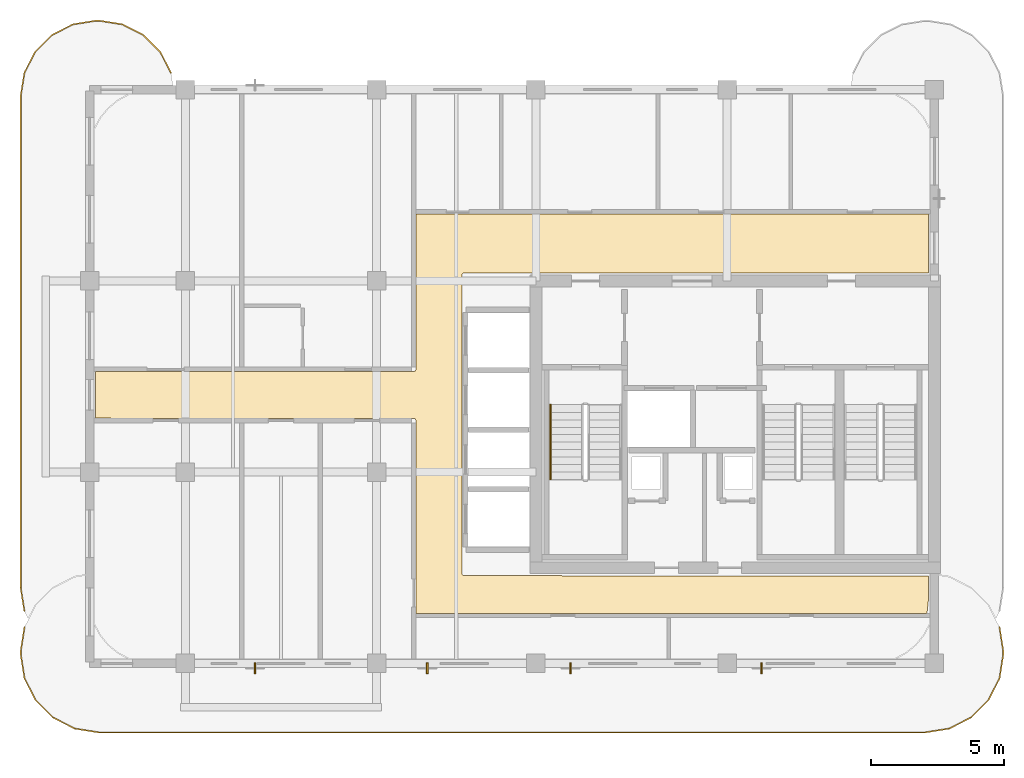
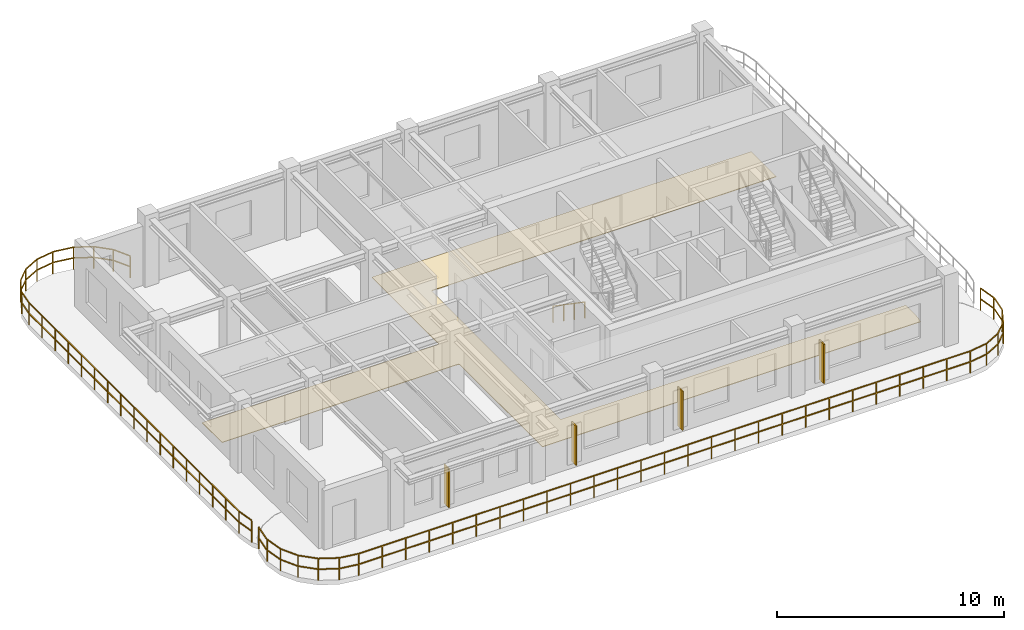
# One storey, part 6 of 8: 4 shading devices, 3 railings, 1 covering.
"""IFC4 building model written with IfcOpenShell, lengths in metres."""

import ifcopenshell
import ifcopenshell.guid

model = None  # the IFC model being written
_history = None  # IfcOwnerHistory: only IFC2X3 demands one
_inside = {}  # id of a spatial element -> (the spatial element, [elements in it])
_under = {}  # id of a project, library or spatial element -> (it, [spatial elements below it])
_declared = {}  # id of a project -> (the project, [libraries it declares])
_typed = {}  # id of a type object -> (the type object, [elements of that type])
_made_of = {}  # id of a material, layer set ... -> (it, [elements and type objects made of it])


def new_model(schema):
    """Start an empty IFC model of exactly this schema.

    Asked for "IFC4X3", IfcOpenShell would pick the latest addendum, in which some entities
    have other attributes; the version numbers below select the first issue.
    IFC2X3 requires an IfcOwnerHistory on every rooted entity: one is made here for all.
    """
    global model, _history
    if schema == "IFC4X3":
        model = ifcopenshell.file(schema_version=(4, 3, 0, 0))
    else:
        model = ifcopenshell.file(schema=schema)
    _inside.clear()
    _under.clear()
    _declared.clear()
    _typed.clear()
    _made_of.clear()
    _history = None
    if model.schema == "IFC2X3":
        org = make("IfcOrganization", Name="unknown")
        user = make(
            "IfcPersonAndOrganization",
            ThePerson=make("IfcPerson", FamilyName="unknown"),
            TheOrganization=org,
        )
        app = make(
            "IfcApplication",
            ApplicationDeveloper=org,
            Version="unknown",
            ApplicationFullName="unknown",
            ApplicationIdentifier="unknown",
        )
        _history = make(
            "IfcOwnerHistory",
            OwningUser=user,
            OwningApplication=app,
            ChangeAction="ADDED",
            CreationDate=0,
        )
    return model


def make(cls, **values):
    """One entity of the class cls with the attributes given. An attribute that is None is left unset."""
    return model.create_entity(
        cls, **{name: value for name, value in values.items() if value is not None}
    )


def rooted(cls, **values):
    """An entity with a GlobalId (a new one), such as an element, a storey or a relation."""
    return make(cls, GlobalId=ifcopenshell.guid.new(), OwnerHistory=_history, **values)


def si_unit(unit_type, name, prefix=None):
    """IfcSIUnit, for example si_unit("LENGTHUNIT", "METRE", prefix="MILLI")."""
    return make("IfcSIUnit", UnitType=unit_type, Prefix=prefix, Name=name)


def derived_unit(unit_type, elements):
    """IfcDerivedUnit: a product of units, each with its exponent."""
    return make(
        "IfcDerivedUnit",
        Elements=[
            make("IfcDerivedUnitElement", Unit=unit, Exponent=power)
            for unit, power in elements
        ],
        UnitType=unit_type,
    )


def assignment(units):
    """IfcUnitAssignment: the units of a project."""
    return None if units is None else make("IfcUnitAssignment", Units=units)


def point(xyz):
    """IfcCartesianPoint."""
    return None if xyz is None else make("IfcCartesianPoint", Coordinates=xyz)


def direction(xyz):
    """IfcDirection."""
    return None if xyz is None else make("IfcDirection", DirectionRatios=xyz)


def frame(location, z_axis=None, x_axis=None):
    """IfcAxis2Placement3D, a coordinate frame: its origin and axes. An axis left out is left unset."""
    return make(
        "IfcAxis2Placement3D",
        Location=point(location),
        Axis=direction(z_axis),
        RefDirection=direction(x_axis),
    )


def frame_2d(location, x_axis=None):
    """IfcAxis2Placement2D, a coordinate frame in the plane: its origin and x axis."""
    return make(
        "IfcAxis2Placement2D", Location=point(location), RefDirection=direction(x_axis)
    )


def origin():
    """The frame at (0, 0, 0) with its axes left unset."""
    return frame((0.0, 0.0, 0.0))


def origin_2d():
    """The frame at (0, 0) in the plane with its x axis left unset."""
    return frame_2d((0.0, 0.0))


def place(relative_to, where):
    """IfcLocalPlacement: puts the frame where relative to a parent placement (None: the world)."""
    return make(
        "IfcLocalPlacement", PlacementRelTo=relative_to, RelativePlacement=where
    )


def context(
    kind, dimensions, precision=None, world=None, true_north=None, identifier=None
):
    """IfcGeometricRepresentationContext, for example the 3D "Model" context."""
    return make(
        "IfcGeometricRepresentationContext",
        ContextIdentifier=identifier,
        ContextType=kind,
        CoordinateSpaceDimension=dimensions,
        Precision=precision,
        WorldCoordinateSystem=world,
        TrueNorth=true_north,
    )


def subcontext(parent, identifier, kind, view, scale=None):
    """IfcGeometricRepresentationSubContext, for example "Body" below "Model"."""
    return make(
        "IfcGeometricRepresentationSubContext",
        ContextIdentifier=identifier,
        ContextType=kind,
        ParentContext=parent,
        TargetScale=scale,
        TargetView=view,
    )


def project(units=None, contexts=None):
    """IfcProject with its units and contexts."""
    return rooted(
        "IfcProject",
        Name="project",
        RepresentationContexts=contexts,
        UnitsInContext=assignment(units),
    )


def spatial(cls, under=None, at=None, **own):
    """A site, building, storey or space (cls), placed at a placement, below another one or the project."""
    s = rooted(cls, ObjectPlacement=at, **own)
    if under is not None:
        _under.setdefault(under.id(), (under, []))[1].append(s)
    return s


def polyline(points):
    """IfcPolyline through the points."""
    return make("IfcPolyline", Points=[point(p) for p in points])


def profile(cls, at=None, kind="AREA", **sizes):
    """A parametric profile (cls). Its sizes go by their IFC names, for example OverallWidth=200.0."""
    return make(cls, ProfileType=kind, Position=at, **sizes)


def rectangle(**sizes):
    """IfcRectangleProfileDef."""
    return profile("IfcRectangleProfileDef", **sizes)


def outline(outer, holes=None, kind="AREA"):
    """IfcArbitraryClosedProfileDef: a profile drawn as a closed curve; with holes, ...WithVoids."""
    if holes is None:
        return make("IfcArbitraryClosedProfileDef", ProfileType=kind, OuterCurve=outer)
    return make(
        "IfcArbitraryProfileDefWithVoids",
        ProfileType=kind,
        OuterCurve=outer,
        InnerCurves=holes,
    )


def extrude(swept, where, along, depth):
    """IfcExtrudedAreaSolid: the profile swept, set in the frame where, extruded along a direction by depth."""
    return make(
        "IfcExtrudedAreaSolid",
        SweptArea=swept,
        Position=where,
        ExtrudedDirection=direction(along),
        Depth=depth,
    )


def shape(context_of_items, identifier, shape_type, items):
    """IfcShapeRepresentation: the items that make up one representation, for example the "Body"."""
    return make(
        "IfcShapeRepresentation",
        ContextOfItems=context_of_items,
        RepresentationIdentifier=identifier,
        RepresentationType=shape_type,
        Items=items,
    )


def source(mapping_origin, context_of_items, identifier, shape_type, items):
    """IfcRepresentationMap: a shape defined once, which mapped items show again and again."""
    return make(
        "IfcRepresentationMap",
        MappingOrigin=mapping_origin,
        MappedRepresentation=shape(context_of_items, identifier, shape_type, items),
    )


def transform(
    local_origin,
    x_axis=None,
    y_axis=None,
    z_axis=None,
    scale=None,
    scale2=None,
    scale3=None,
    uniform=True,
):
    """IfcCartesianTransformationOperator3D, or its non-uniform kind. x_axis, y_axis, z_axis: its Axis1, 2, 3."""
    if uniform:
        return make(
            "IfcCartesianTransformationOperator3D",
            Axis1=direction(x_axis),
            Axis2=direction(y_axis),
            LocalOrigin=point(local_origin),
            Scale=scale,
            Axis3=direction(z_axis),
        )
    return make(
        "IfcCartesianTransformationOperator3DnonUniform",
        Axis1=direction(x_axis),
        Axis2=direction(y_axis),
        LocalOrigin=point(local_origin),
        Scale=scale,
        Axis3=direction(z_axis),
        Scale2=scale2,
        Scale3=scale3,
    )


def mapped(mapping_source, mapping_target):
    """IfcMappedItem: shows the shape of a source again, moved by a transform."""
    return make(
        "IfcMappedItem", MappingSource=mapping_source, MappingTarget=mapping_target
    )


def material(Name=None, Category=None):
    """IfcMaterial."""
    return make("IfcMaterial", Name=Name, Category=Category)


def layer(
    of_material, thickness, ventilated=None, Name=None, Category=None, Priority=None
):
    """IfcMaterialLayer: one layer of a wall or slab, of a material (None: an air gap)."""
    return make(
        "IfcMaterialLayer",
        Material=of_material,
        LayerThickness=thickness,
        IsVentilated=ventilated,
        Name=Name,
        Category=Category,
        Priority=Priority,
    )


def layer_set(layers, Name=None):
    """IfcMaterialLayerSet."""
    return make("IfcMaterialLayerSet", MaterialLayers=layers, LayerSetName=Name)


def made_of(thing, what):
    """Note that an element or type object is made of a material, layer set ...; save() writes the relation."""
    if what is not None:
        _made_of.setdefault(what.id(), (what, []))[1].append(thing)
    return thing


def type_object(cls, material=None, **own):
    """A type object (cls), such as IfcWallType, which elements share."""
    return made_of(rooted(cls, **own), material)


def type_shapes(of_type, sources):
    """Give a type object the sources (RepresentationMaps) that its elements show as mapped items."""
    of_type.RepresentationMaps = sources


def element(
    cls,
    number,
    at=None,
    inside=None,
    cuts=None,
    type_object=None,
    material=None,
    context=None,
    identifier="Body",
    shape_type=None,
    held_by="IfcProductDefinitionShape",
    body=None,
    shapes=None,
    **own,
):
    """One element of the class cls, such as IfcWall. Its Tag is "e" and its number.

    at: its placement. inside: the storey or other place that contains it. cuts: it is an
    opening in that element (IfcRelVoidsElement). A single representation is given by context,
    identifier, shape_type and body (its items); several are given by shapes. held_by: the class
    of the entity that holds the representations. save() writes the other relations.
    """
    e = rooted(cls, Tag="e%d" % number, ObjectPlacement=at, **own)
    if body is not None:
        shapes = [shape(context, identifier, shape_type, body)]
    if shapes is not None:
        e.Representation = make(held_by, Representations=shapes)
    if inside is not None:
        _inside.setdefault(inside.id(), (inside, []))[1].append(e)
    if cuts is not None:
        rooted(
            "IfcRelVoidsElement", RelatingBuildingElement=cuts, RelatedOpeningElement=e
        )
    if type_object is not None:
        _typed.setdefault(type_object.id(), (type_object, []))[1].append(e)
    return made_of(e, material)


def aggregate(whole, parts):
    """IfcRelAggregates: a whole, such as a stair, and the parts it consists of."""
    return rooted("IfcRelAggregates", RelatingObject=whole, RelatedObjects=parts)


def save(model, path):
    """Write the relations noted so far, then the file.

    IfcRelAggregates (storeys below a building ...), IfcRelContainedInSpatialStructure (elements
    in a storey), IfcRelDefinesByType, IfcRelAssociatesMaterial and IfcRelDeclares: one each for
    every whole, place, type object, material and project.
    """
    for whole, parts in _under.values():
        aggregate(whole, parts)
    for where, things in _inside.values():
        rooted(
            "IfcRelContainedInSpatialStructure",
            RelatedElements=things,
            RelatingStructure=where,
        )
    for kind, things in _typed.values():
        rooted("IfcRelDefinesByType", RelatedObjects=things, RelatingType=kind)
    for what, things in _made_of.values():
        rooted("IfcRelAssociatesMaterial", RelatedObjects=things, RelatingMaterial=what)
    for by, libraries in _declared.values():
        rooted("IfcRelDeclares", RelatingContext=by, RelatedDefinitions=libraries)
    model.write(path)


model = new_model("IFC4")

# Units and contexts
model_context = context("Model", 3, precision=1e-05, world=origin(), true_north=direction((0.0, 1.0)))
body_context = subcontext(model_context, "Body", "Model", "MODEL_VIEW")
ifc_project = project(units=[si_unit("LENGTHUNIT", "METRE"), si_unit("AREAUNIT", "SQUARE_METRE"), si_unit("VOLUMEUNIT", "CUBIC_METRE"), si_unit("PLANEANGLEUNIT", "RADIAN"), si_unit("MASSUNIT", "GRAM", prefix="KILO"), si_unit("THERMODYNAMICTEMPERATUREUNIT", "KELVIN"), si_unit("POWERUNIT", "WATT"), derived_unit("THERMALTRANSMITTANCEUNIT", [(si_unit("POWERUNIT", "WATT"), 1), (si_unit("AREAUNIT", "SQUARE_METRE"), -1), (si_unit("THERMODYNAMICTEMPERATUREUNIT", "KELVIN"), -1)])], contexts=[model_context])

# Site, building, storey
site_placement = place(None, origin())
site = spatial("IfcSite", under=ifc_project, at=site_placement, CompositionType="ELEMENT")
building_placement = place(site_placement, origin())
building = spatial("IfcBuilding", under=site, at=building_placement, Name="Zahravan Archway Hotel and Residences", CompositionType="ELEMENT")
storey_placement = place(building_placement, frame((0.0, 0.0, 286.60009765625)))
storey = spatial("IfcBuildingStorey", under=building, at=storey_placement, Name="L72", CompositionType="ELEMENT", Elevation=286.60009765625)

# Covering
ifc_material_1 = material(Name="Honed Margalla Limestone & Mortar Bed", Category="masonry")
ifc_layer_1 = layer(ifc_material_1, 0.030029296875, Name="Honed Margalla Limestone & Mortar Bed", Category="masonry")
ifc_layer_set_1 = layer_set([ifc_layer_1], Name="Honed Margalla Limestone & Mortar Bed")
covering_type = type_object("IfcCoveringType", Name="COV-FLR-STONE", PredefinedType="FLOORING", material=ifc_layer_set_1)
covering_placement = place(storey_placement, origin())
element("IfcCovering", 1, at=covering_placement, inside=storey, type_object=covering_type, Name="L72 Circulation Floor Finish", PredefinedType="FLOORING", context=body_context, shape_type="SweptSolid", body=[
    extrude(outline(polyline([(30.215576171875, 10.991455078125), (30.256591796875, 11.013427734375), (30.278564453125, 11.054443359375), (30.280029296875, 16.919921875), (49.580078125, 16.919921875), (49.580078125, 14.705078125), (32.10009765625, 14.705078125), (32.0556640625, 14.69140625), (32.026123046875, 14.655517578125), (32.02001953125, 3.375), (32.033447265625, 3.33056640625), (32.0693359375, 3.301025390625), (49.580078125, 3.294921875), (49.580078125, 2.410888671875), (49.537109375, 1.974853515625), (49.50830078125, 1.8798828125), (30.280029296875, 1.8798828125), (30.280029296875, 9.14990234375), (30.2666015625, 9.1943359375), (30.230712890625, 9.223876953125), (18.219970703125, 9.22998046875), (18.219970703125, 10.989990234375), (30.199951171875, 10.989990234375), (30.215576171875, 10.991455078125)])), origin(), (0.0, 0.0, 1.0), 0.02978515625),
])

# Railings
ifc_material_2 = material(Name="Bronze & Laminated Glass Balustrade", Category="glass")
railing_type_1 = type_object("IfcRailingType", Name="RL-BAL-1200", PredefinedType="BALUSTRADE", material=ifc_material_2)
railing_1_placement = place(storey_placement, frame((52.255615234375, 1.361572265625, 0.0)))
element("IfcRailing", 2, at=railing_1_placement, inside=storey, type_object=railing_type_1, Name="L72 Balustrade RL-SLB-BAL-L72-SA-1", PredefinedType="BALUSTRADE", context=body_context, shape_type="SweptSolid", body=[
    extrude(rectangle(XDim=0.048095703125, YDim=0.048095703125, at=origin_2d()), frame((0.0, 0.0, 1.17578125), z_axis=(0.156329311416, -0.987704989555, 0.0), x_axis=(0.987704989555, 0.156329311416, 0.0)), (0.0, 0.0, 1.0), 0.9228515625),
    extrude(rectangle(XDim=0.048095703125, YDim=0.048095703125, at=origin_2d()), frame((0.0, 0.0, 0.60009765625), z_axis=(0.156329311416, -0.987704989555, 0.0), x_axis=(0.987704989555, 0.156329311416, 0.0)), (0.0, 0.0, 1.0), 0.9228515625),
    extrude(rectangle(XDim=0.048095703125, YDim=0.048095703125, at=origin_2d()), frame((0.144287109375, -0.91162109375, 1.17578125), z_axis=(0.0, -1.0, 0.0), x_axis=(1.0, 0.0, 0.0)), (0.0, 0.0, 1.0), 0.099853515625),
    extrude(rectangle(XDim=0.048095703125, YDim=0.048095703125, at=origin_2d()), frame((0.144287109375, -0.91162109375, 0.60009765625), z_axis=(0.0, -1.0, 0.0), x_axis=(1.0, 0.0, 0.0)), (0.0, 0.0, 1.0), 0.099853515625),
    extrude(rectangle(XDim=0.048095703125, YDim=0.048095703125, at=origin_2d()), frame((0.144287109375, -1.011474609375, 1.17578125), z_axis=(-0.156329311416, -0.987704989555, 0.0), x_axis=(0.987704989555, -0.156329311416, 0.0)), (0.0, 0.0, 1.0), 0.9228515625),
    extrude(rectangle(XDim=0.048095703125, YDim=0.048095703125, at=origin_2d()), frame((0.144287109375, -1.011474609375, 0.60009765625), z_axis=(-0.156329311416, -0.987704989555, 0.0), x_axis=(0.987704989555, -0.156329311416, 0.0)), (0.0, 0.0, 1.0), 0.9228515625),
    extrude(rectangle(XDim=0.048095703125, YDim=0.048095703125, at=origin_2d()), frame((0.0, -1.923095703125, 1.17578125), z_axis=(-0.453866348456, -0.891069771532, 0.0), x_axis=(0.891069771532, -0.453866348456, 0.0)), (0.0, 0.0, 1.0), 0.923095703125),
    extrude(rectangle(XDim=0.048095703125, YDim=0.048095703125, at=origin_2d()), frame((0.0, -1.923095703125, 0.60009765625), z_axis=(-0.453866348456, -0.891069771532, 0.0), x_axis=(0.891069771532, -0.453866348456, 0.0)), (0.0, 0.0, 1.0), 0.923095703125),
    extrude(rectangle(XDim=0.048095703125, YDim=0.048095703125, at=origin_2d()), frame((-0.4189453125, -2.74560546875, 1.17578125), z_axis=(-0.707106781187, -0.707106781187, 0.0), x_axis=(0.707106781187, -0.707106781187, 0.0)), (0.0, 0.0, 1.0), 0.9228515625),
    extrude(rectangle(XDim=0.048095703125, YDim=0.048095703125, at=origin_2d()), frame((-0.4189453125, -2.74560546875, 0.60009765625), z_axis=(-0.707106781187, -0.707106781187, 0.0), x_axis=(0.707106781187, -0.707106781187, 0.0)), (0.0, 0.0, 1.0), 0.9228515625),
    extrude(rectangle(XDim=0.048095703125, YDim=0.048095703125, at=origin_2d()), frame((-1.071533203125, -3.398193359375, 1.17578125), z_axis=(-0.891069771532, -0.453866348456, 0.0), x_axis=(0.453866348456, -0.891069771532, 0.0)), (0.0, 0.0, 1.0), 0.923095703125),
    extrude(rectangle(XDim=0.048095703125, YDim=0.048095703125, at=origin_2d()), frame((-1.071533203125, -3.398193359375, 0.60009765625), z_axis=(-0.891069771532, -0.453866348456, 0.0), x_axis=(0.453866348456, -0.891069771532, 0.0)), (0.0, 0.0, 1.0), 0.923095703125),
    extrude(rectangle(XDim=0.048095703125, YDim=0.048095703125, at=origin_2d()), frame((-1.89404296875, -3.817138671875, 1.17578125), z_axis=(-0.98766411426, -0.156587347521, 0.0), x_axis=(0.156587347521, -0.98766411426, 0.0)), (0.0, 0.0, 1.0), 0.923095703125),
    extrude(rectangle(XDim=0.048095703125, YDim=0.048095703125, at=origin_2d()), frame((-1.89404296875, -3.817138671875, 0.60009765625), z_axis=(-0.98766411426, -0.156587347521, 0.0), x_axis=(0.156587347521, -0.98766411426, 0.0)), (0.0, 0.0, 1.0), 0.923095703125),
    extrude(rectangle(XDim=0.048095703125, YDim=0.048095703125, at=origin_2d()), frame((-2.8056640625, -3.961669921875, 1.17578125), z_axis=(-1.0, 0.0, 0.0), x_axis=(0.0, -1.0, 0.0)), (0.0, 0.0, 1.0), 31.099853515625),
    extrude(rectangle(XDim=0.048095703125, YDim=0.048095703125, at=origin_2d()), frame((-2.8056640625, -3.961669921875, 0.60009765625), z_axis=(-1.0, 0.0, 0.0), x_axis=(0.0, -1.0, 0.0)), (0.0, 0.0, 1.0), 31.099853515625),
    extrude(rectangle(XDim=0.048095703125, YDim=0.048095703125, at=origin_2d()), frame((-33.905517578125, -3.961669921875, 1.17578125), z_axis=(-0.98766411426, 0.156587347521, 0.0), x_axis=(-0.156587347521, -0.98766411426, 0.0)), (0.0, 0.0, 1.0), 0.923095703125),
    extrude(rectangle(XDim=0.048095703125, YDim=0.048095703125, at=origin_2d()), frame((-33.905517578125, -3.961669921875, 0.60009765625), z_axis=(-0.98766411426, 0.156587347521, 0.0), x_axis=(-0.156587347521, -0.98766411426, 0.0)), (0.0, 0.0, 1.0), 0.923095703125),
    extrude(rectangle(XDim=0.048095703125, YDim=0.048095703125, at=origin_2d()), frame((-34.817138671875, -3.817138671875, 1.17578125), z_axis=(-0.891069771532, 0.453866348456, 0.0), x_axis=(-0.453866348456, -0.891069771532, 0.0)), (0.0, 0.0, 1.0), 0.923095703125),
    extrude(rectangle(XDim=0.048095703125, YDim=0.048095703125, at=origin_2d()), frame((-34.817138671875, -3.817138671875, 0.60009765625), z_axis=(-0.891069771532, 0.453866348456, 0.0), x_axis=(-0.453866348456, -0.891069771532, 0.0)), (0.0, 0.0, 1.0), 0.923095703125),
    extrude(rectangle(XDim=0.048095703125, YDim=0.048095703125, at=origin_2d()), frame((-35.6396484375, -3.398193359375, 1.17578125), z_axis=(-0.707106781187, 0.707106781187, 0.0), x_axis=(-0.707106781187, -0.707106781187, 0.0)), (0.0, 0.0, 1.0), 0.9228515625),
    extrude(rectangle(XDim=0.048095703125, YDim=0.048095703125, at=origin_2d()), frame((-35.6396484375, -3.398193359375, 0.60009765625), z_axis=(-0.707106781187, 0.707106781187, 0.0), x_axis=(-0.707106781187, -0.707106781187, 0.0)), (0.0, 0.0, 1.0), 0.9228515625),
    extrude(rectangle(XDim=0.048095703125, YDim=0.048095703125, at=origin_2d()), frame((-36.292236328125, -2.74560546875, 1.17578125), z_axis=(-0.453866348456, 0.891069771532, 0.0), x_axis=(-0.891069771532, -0.453866348456, 0.0)), (0.0, 0.0, 1.0), 0.923095703125),
    extrude(rectangle(XDim=0.048095703125, YDim=0.048095703125, at=origin_2d()), frame((-36.292236328125, -2.74560546875, 0.60009765625), z_axis=(-0.453866348456, 0.891069771532, 0.0), x_axis=(-0.891069771532, -0.453866348456, 0.0)), (0.0, 0.0, 1.0), 0.923095703125),
    extrude(rectangle(XDim=0.048095703125, YDim=0.048095703125, at=origin_2d()), frame((-36.711181640625, -1.923095703125, 1.17578125), z_axis=(-0.156587347521, 0.98766411426, 0.0), x_axis=(-0.98766411426, -0.156587347521, 0.0)), (0.0, 0.0, 1.0), 0.923095703125),
    extrude(rectangle(XDim=0.048095703125, YDim=0.048095703125, at=origin_2d()), frame((-36.711181640625, -1.923095703125, 0.60009765625), z_axis=(-0.156587347521, 0.98766411426, 0.0), x_axis=(-0.98766411426, -0.156587347521, 0.0)), (0.0, 0.0, 1.0), 0.923095703125),
    extrude(rectangle(XDim=0.048095703125, YDim=0.048095703125, at=origin_2d()), frame((-36.855712890625, -1.011474609375, 1.17578125), z_axis=(0.0, 1.0, 0.0), x_axis=(-1.0, 0.0, 0.0)), (0.0, 0.0, 1.0), 0.099853515625),
    extrude(rectangle(XDim=0.048095703125, YDim=0.048095703125, at=origin_2d()), frame((-36.855712890625, -1.011474609375, 0.60009765625), z_axis=(0.0, 1.0, 0.0), x_axis=(-1.0, 0.0, 0.0)), (0.0, 0.0, 1.0), 0.099853515625),
    extrude(rectangle(XDim=0.048095703125, YDim=0.048095703125, at=origin_2d()), frame((-36.855712890625, -0.91162109375, 1.17578125), z_axis=(0.156587347521, 0.98766411426, 0.0), x_axis=(-0.98766411426, 0.156587347521, 0.0)), (0.0, 0.0, 1.0), 0.923095703125),
    extrude(rectangle(XDim=0.048095703125, YDim=0.048095703125, at=origin_2d()), frame((-36.855712890625, -0.91162109375, 0.60009765625), z_axis=(0.156587347521, 0.98766411426, 0.0), x_axis=(-0.98766411426, 0.156587347521, 0.0)), (0.0, 0.0, 1.0), 0.923095703125),
    extrude(rectangle(XDim=0.0419921875, YDim=0.0419921875, at=origin_2d()), origin(), (0.0, 0.0, 1.0), 1.15185546875),
    extrude(rectangle(XDim=0.0419921875, YDim=0.0419921875, at=origin_2d()), frame((0.144287109375, -0.91162109375, 0.0)), (0.0, 0.0, 1.0), 1.15185546875),
    extrude(rectangle(XDim=0.0419921875, YDim=0.0419921875, at=origin_2d()), frame((0.0, -1.923095703125, 0.0)), (0.0, 0.0, 1.0), 1.15185546875),
    extrude(rectangle(XDim=0.0419921875, YDim=0.0419921875, at=origin_2d()), frame((-0.4189453125, -2.74560546875, 0.0)), (0.0, 0.0, 1.0), 1.15185546875),
    extrude(rectangle(XDim=0.0419921875, YDim=0.0419921875, at=origin_2d()), frame((-1.071533203125, -3.398193359375, 0.0)), (0.0, 0.0, 1.0), 1.15185546875),
    extrude(rectangle(XDim=0.0419921875, YDim=0.0419921875, at=origin_2d()), frame((-1.89404296875, -3.817138671875, 0.0)), (0.0, 0.0, 1.0), 1.15185546875),
    extrude(rectangle(XDim=0.0419921875, YDim=0.0419921875, at=origin_2d()), frame((-2.8056640625, -3.961669921875, 0.0)), (0.0, 0.0, 1.0), 1.15185546875),
    extrude(rectangle(XDim=0.0419921875, YDim=0.0419921875, at=origin_2d()), frame((-4.001708984375, -3.961669921875, 0.0)), (0.0, 0.0, 1.0), 1.15185546875),
    extrude(rectangle(XDim=0.0419921875, YDim=0.0419921875, at=origin_2d()), frame((-5.197998046875, -3.961669921875, 0.0)), (0.0, 0.0, 1.0), 1.15185546875),
    extrude(rectangle(XDim=0.0419921875, YDim=0.0419921875, at=origin_2d()), frame((-6.39404296875, -3.961669921875, 0.0)), (0.0, 0.0, 1.0), 1.15185546875),
    extrude(rectangle(XDim=0.0419921875, YDim=0.0419921875, at=origin_2d()), frame((-7.59033203125, -3.961669921875, 0.0)), (0.0, 0.0, 1.0), 1.15185546875),
    extrude(rectangle(XDim=0.0419921875, YDim=0.0419921875, at=origin_2d()), frame((-8.786376953125, -3.961669921875, 0.0)), (0.0, 0.0, 1.0), 1.15185546875),
    extrude(rectangle(XDim=0.0419921875, YDim=0.0419921875, at=origin_2d()), frame((-9.982666015625, -3.961669921875, 0.0)), (0.0, 0.0, 1.0), 1.15185546875),
    extrude(rectangle(XDim=0.0419921875, YDim=0.0419921875, at=origin_2d()), frame((-11.1787109375, -3.961669921875, 0.0)), (0.0, 0.0, 1.0), 1.15185546875),
    extrude(rectangle(XDim=0.0419921875, YDim=0.0419921875, at=origin_2d()), frame((-12.374755859375, -3.961669921875, 0.0)), (0.0, 0.0, 1.0), 1.15185546875),
    extrude(rectangle(XDim=0.0419921875, YDim=0.0419921875, at=origin_2d()), frame((-13.571044921875, -3.961669921875, 0.0)), (0.0, 0.0, 1.0), 1.15185546875),
    extrude(rectangle(XDim=0.0419921875, YDim=0.0419921875, at=origin_2d()), frame((-14.76708984375, -3.961669921875, 0.0)), (0.0, 0.0, 1.0), 1.15185546875),
    extrude(rectangle(XDim=0.0419921875, YDim=0.0419921875, at=origin_2d()), frame((-15.96337890625, -3.961669921875, 0.0)), (0.0, 0.0, 1.0), 1.15185546875),
    extrude(rectangle(XDim=0.0419921875, YDim=0.0419921875, at=origin_2d()), frame((-17.159423828125, -3.961669921875, 0.0)), (0.0, 0.0, 1.0), 1.15185546875),
    extrude(rectangle(XDim=0.0419921875, YDim=0.0419921875, at=origin_2d()), frame((-18.35546875, -3.961669921875, 0.0)), (0.0, 0.0, 1.0), 1.15185546875),
    extrude(rectangle(XDim=0.0419921875, YDim=0.0419921875, at=origin_2d()), frame((-19.5517578125, -3.961669921875, 0.0)), (0.0, 0.0, 1.0), 1.15185546875),
    extrude(rectangle(XDim=0.0419921875, YDim=0.0419921875, at=origin_2d()), frame((-20.747802734375, -3.961669921875, 0.0)), (0.0, 0.0, 1.0), 1.15185546875),
    extrude(rectangle(XDim=0.0419921875, YDim=0.0419921875, at=origin_2d()), frame((-21.944091796875, -3.961669921875, 0.0)), (0.0, 0.0, 1.0), 1.15185546875),
    extrude(rectangle(XDim=0.0419921875, YDim=0.0419921875, at=origin_2d()), frame((-23.14013671875, -3.961669921875, 0.0)), (0.0, 0.0, 1.0), 1.15185546875),
    extrude(rectangle(XDim=0.0419921875, YDim=0.0419921875, at=origin_2d()), frame((-24.33642578125, -3.961669921875, 0.0)), (0.0, 0.0, 1.0), 1.15185546875),
    extrude(rectangle(XDim=0.0419921875, YDim=0.0419921875, at=origin_2d()), frame((-25.532470703125, -3.961669921875, 0.0)), (0.0, 0.0, 1.0), 1.15185546875),
    extrude(rectangle(XDim=0.0419921875, YDim=0.0419921875, at=origin_2d()), frame((-26.728515625, -3.961669921875, 0.0)), (0.0, 0.0, 1.0), 1.15185546875),
    extrude(rectangle(XDim=0.0419921875, YDim=0.0419921875, at=origin_2d()), frame((-27.9248046875, -3.961669921875, 0.0)), (0.0, 0.0, 1.0), 1.15185546875),
    extrude(rectangle(XDim=0.0419921875, YDim=0.0419921875, at=origin_2d()), frame((-29.120849609375, -3.961669921875, 0.0)), (0.0, 0.0, 1.0), 1.15185546875),
    extrude(rectangle(XDim=0.0419921875, YDim=0.0419921875, at=origin_2d()), frame((-30.317138671875, -3.961669921875, 0.0)), (0.0, 0.0, 1.0), 1.15185546875),
    extrude(rectangle(XDim=0.0419921875, YDim=0.0419921875, at=origin_2d()), frame((-31.51318359375, -3.961669921875, 0.0)), (0.0, 0.0, 1.0), 1.15185546875),
    extrude(rectangle(XDim=0.0419921875, YDim=0.0419921875, at=origin_2d()), frame((-32.70947265625, -3.961669921875, 0.0)), (0.0, 0.0, 1.0), 1.15185546875),
    extrude(rectangle(XDim=0.0419921875, YDim=0.0419921875, at=origin_2d()), frame((-33.905517578125, -3.961669921875, 0.0)), (0.0, 0.0, 1.0), 1.15185546875),
    extrude(rectangle(XDim=0.0419921875, YDim=0.0419921875, at=origin_2d()), frame((-34.817138671875, -3.817138671875, 0.0)), (0.0, 0.0, 1.0), 1.15185546875),
    extrude(rectangle(XDim=0.0419921875, YDim=0.0419921875, at=origin_2d()), frame((-35.6396484375, -3.398193359375, 0.0)), (0.0, 0.0, 1.0), 1.15185546875),
    extrude(rectangle(XDim=0.0419921875, YDim=0.0419921875, at=origin_2d()), frame((-36.292236328125, -2.74560546875, 0.0)), (0.0, 0.0, 1.0), 1.15185546875),
    extrude(rectangle(XDim=0.0419921875, YDim=0.0419921875, at=origin_2d()), frame((-36.711181640625, -1.923095703125, 0.0)), (0.0, 0.0, 1.0), 1.15185546875),
    extrude(rectangle(XDim=0.0419921875, YDim=0.0419921875, at=origin_2d()), frame((-36.855712890625, -1.011474609375, 0.0)), (0.0, 0.0, 1.0), 1.15185546875),
    extrude(rectangle(XDim=0.0419921875, YDim=0.0419921875, at=origin_2d()), frame((-36.711181640625, 0.0, 0.0)), (0.0, 0.0, 1.0), 1.15185546875),
])
railing_2_placement = place(storey_placement, frame((15.53955078125, 1.96923828125, 0.0)))
element("IfcRailing", 3, at=railing_2_placement, inside=storey, type_object=railing_type_1, Name="L72 Balustrade RL-SLB-BAL-L72-WA-1", PredefinedType="BALUSTRADE", context=body_context, shape_type="SweptSolid", body=[
    extrude(rectangle(XDim=0.048095703125, YDim=0.048095703125, at=origin_2d()), frame((0.0, 0.0, 1.17578125), z_axis=(-0.156581054338, 0.98766511198, 0.0), x_axis=(-0.98766511198, -0.156581054338, 0.0)), (0.0, 0.0, 1.0), 0.891845703125),
    extrude(rectangle(XDim=0.048095703125, YDim=0.048095703125, at=origin_2d()), frame((0.0, 0.0, 0.60009765625), z_axis=(-0.156581054338, 0.98766511198, 0.0), x_axis=(-0.98766511198, -0.156581054338, 0.0)), (0.0, 0.0, 1.0), 0.891845703125),
    extrude(rectangle(XDim=0.048095703125, YDim=0.048095703125, at=origin_2d()), frame((-0.1396484375, 0.880859375, 1.17578125), z_axis=(0.0, 1.0, 0.0), x_axis=(-1.0, 0.0, 0.0)), (0.0, 0.0, 1.0), 18.5),
    extrude(rectangle(XDim=0.048095703125, YDim=0.048095703125, at=origin_2d()), frame((-0.1396484375, 0.880859375, 0.60009765625), z_axis=(0.0, 1.0, 0.0), x_axis=(-1.0, 0.0, 0.0)), (0.0, 0.0, 1.0), 18.5),
    extrude(rectangle(XDim=0.048095703125, YDim=0.048095703125, at=origin_2d()), frame((-0.1396484375, 19.380859375, 1.17578125), z_axis=(0.156623399917, 0.987658397726, 0.0), x_axis=(-0.987658397726, 0.156623399917, 0.0)), (0.0, 0.0, 1.0), 0.8916015625),
    extrude(rectangle(XDim=0.048095703125, YDim=0.048095703125, at=origin_2d()), frame((-0.1396484375, 19.380859375, 0.60009765625), z_axis=(0.156623399917, 0.987658397726, 0.0), x_axis=(-0.987658397726, 0.156623399917, 0.0)), (0.0, 0.0, 1.0), 0.8916015625),
    extrude(rectangle(XDim=0.048095703125, YDim=0.048095703125, at=origin_2d()), frame((0.0, 20.261474609375, 1.17578125), z_axis=(0.453991409995, 0.891006060389, 0.0), x_axis=(-0.891006060389, 0.453991409995, 0.0)), (0.0, 0.0, 1.0), 0.8916015625),
    extrude(rectangle(XDim=0.048095703125, YDim=0.048095703125, at=origin_2d()), frame((0.0, 20.261474609375, 0.60009765625), z_axis=(0.453991409995, 0.891006060389, 0.0), x_axis=(-0.891006060389, 0.453991409995, 0.0)), (0.0, 0.0, 1.0), 0.8916015625),
    extrude(rectangle(XDim=0.048095703125, YDim=0.048095703125, at=origin_2d()), frame((0.40478515625, 21.055908203125, 1.17578125), z_axis=(0.706969864397, 0.70724367147, 0.0), x_axis=(-0.70724367147, 0.706969864397, 0.0)), (0.0, 0.0, 1.0), 0.8916015625),
    extrude(rectangle(XDim=0.048095703125, YDim=0.048095703125, at=origin_2d()), frame((0.40478515625, 21.055908203125, 0.60009765625), z_axis=(0.706969864397, 0.70724367147, 0.0), x_axis=(-0.70724367147, 0.706969864397, 0.0)), (0.0, 0.0, 1.0), 0.8916015625),
    extrude(rectangle(XDim=0.048095703125, YDim=0.048095703125, at=origin_2d()), frame((1.03515625, 21.6865234375, 1.17578125), z_axis=(0.891062476022, 0.45388067135, 0.0), x_axis=(-0.45388067135, 0.891062476022, 0.0)), (0.0, 0.0, 1.0), 0.891845703125),
    extrude(rectangle(XDim=0.048095703125, YDim=0.048095703125, at=origin_2d()), frame((1.03515625, 21.6865234375, 0.60009765625), z_axis=(0.891062476022, 0.45388067135, 0.0), x_axis=(-0.45388067135, 0.891062476022, 0.0)), (0.0, 0.0, 1.0), 0.891845703125),
    extrude(rectangle(XDim=0.048095703125, YDim=0.048095703125, at=origin_2d()), frame((1.829833984375, 22.09130859375, 1.17578125), z_axis=(0.987700720307, 0.156356282588, 0.0), x_axis=(-0.156356282588, 0.987700720307, 0.0)), (0.0, 0.0, 1.0), 0.8916015625),
    extrude(rectangle(XDim=0.048095703125, YDim=0.048095703125, at=origin_2d()), frame((1.829833984375, 22.09130859375, 0.60009765625), z_axis=(0.987700720307, 0.156356282588, 0.0), x_axis=(-0.156356282588, 0.987700720307, 0.0)), (0.0, 0.0, 1.0), 0.8916015625),
    extrude(rectangle(XDim=0.048095703125, YDim=0.048095703125, at=origin_2d()), frame((2.71044921875, 22.230712890625, 1.17578125), z_axis=(1.0, 0.0, 0.0), x_axis=(0.0, 1.0, 0.0)), (0.0, 0.0, 1.0), 0.10009765625),
    extrude(rectangle(XDim=0.048095703125, YDim=0.048095703125, at=origin_2d()), frame((2.71044921875, 22.230712890625, 0.60009765625), z_axis=(1.0, 0.0, 0.0), x_axis=(0.0, 1.0, 0.0)), (0.0, 0.0, 1.0), 0.10009765625),
    extrude(rectangle(XDim=0.048095703125, YDim=0.048095703125, at=origin_2d()), frame((2.810546875, 22.230712890625, 1.17578125), z_axis=(0.987700720307, -0.156356282588, 0.0), x_axis=(0.156356282588, 0.987700720307, 0.0)), (0.0, 0.0, 1.0), 0.8916015625),
    extrude(rectangle(XDim=0.048095703125, YDim=0.048095703125, at=origin_2d()), frame((2.810546875, 22.230712890625, 0.60009765625), z_axis=(0.987700720307, -0.156356282588, 0.0), x_axis=(0.156356282588, 0.987700720307, 0.0)), (0.0, 0.0, 1.0), 0.8916015625),
    extrude(rectangle(XDim=0.048095703125, YDim=0.048095703125, at=origin_2d()), frame((3.691162109375, 22.09130859375, 1.17578125), z_axis=(0.891006060389, -0.453991409995, 0.0), x_axis=(0.453991409995, 0.891006060389, 0.0)), (0.0, 0.0, 1.0), 0.8916015625),
    extrude(rectangle(XDim=0.048095703125, YDim=0.048095703125, at=origin_2d()), frame((3.691162109375, 22.09130859375, 0.60009765625), z_axis=(0.891006060389, -0.453991409995, 0.0), x_axis=(0.453991409995, 0.891006060389, 0.0)), (0.0, 0.0, 1.0), 0.8916015625),
    extrude(rectangle(XDim=0.048095703125, YDim=0.048095703125, at=origin_2d()), frame((4.485595703125, 21.6865234375, 1.17578125), z_axis=(0.707106781187, -0.707106781187, 0.0), x_axis=(0.707106781187, 0.707106781187, 0.0)), (0.0, 0.0, 1.0), 0.891845703125),
    extrude(rectangle(XDim=0.048095703125, YDim=0.048095703125, at=origin_2d()), frame((4.485595703125, 21.6865234375, 0.60009765625), z_axis=(0.707106781187, -0.707106781187, 0.0), x_axis=(0.707106781187, 0.707106781187, 0.0)), (0.0, 0.0, 1.0), 0.891845703125),
    extrude(rectangle(XDim=0.048095703125, YDim=0.048095703125, at=origin_2d()), frame((5.1162109375, 21.055908203125, 1.17578125), z_axis=(0.453991409995, -0.891006060389, 0.0), x_axis=(0.891006060389, 0.453991409995, 0.0)), (0.0, 0.0, 1.0), 0.8916015625),
    extrude(rectangle(XDim=0.048095703125, YDim=0.048095703125, at=origin_2d()), frame((5.1162109375, 21.055908203125, 0.60009765625), z_axis=(0.453991409995, -0.891006060389, 0.0), x_axis=(0.891006060389, 0.453991409995, 0.0)), (0.0, 0.0, 1.0), 0.8916015625),
    extrude(rectangle(XDim=0.0419921875, YDim=0.0419921875, at=origin_2d()), origin(), (0.0, 0.0, 1.0), 1.15185546875),
    extrude(rectangle(XDim=0.0419921875, YDim=0.0419921875, at=origin_2d()), frame((-0.1396484375, 0.880859375, 0.0)), (0.0, 0.0, 1.0), 1.15185546875),
    extrude(rectangle(XDim=0.0419921875, YDim=0.0419921875, at=origin_2d()), frame((-0.1396484375, 2.037109375, 0.0)), (0.0, 0.0, 1.0), 1.15185546875),
    extrude(rectangle(XDim=0.0419921875, YDim=0.0419921875, at=origin_2d()), frame((-0.1396484375, 3.193359375, 0.0)), (0.0, 0.0, 1.0), 1.15185546875),
    extrude(rectangle(XDim=0.0419921875, YDim=0.0419921875, at=origin_2d()), frame((-0.1396484375, 4.349609375, 0.0)), (0.0, 0.0, 1.0), 1.15185546875),
    extrude(rectangle(XDim=0.0419921875, YDim=0.0419921875, at=origin_2d()), frame((-0.1396484375, 5.505859375, 0.0)), (0.0, 0.0, 1.0), 1.15185546875),
    extrude(rectangle(XDim=0.0419921875, YDim=0.0419921875, at=origin_2d()), frame((-0.1396484375, 6.662109375, 0.0)), (0.0, 0.0, 1.0), 1.15185546875),
    extrude(rectangle(XDim=0.0419921875, YDim=0.0419921875, at=origin_2d()), frame((-0.1396484375, 7.818359375, 0.0)), (0.0, 0.0, 1.0), 1.15185546875),
    extrude(rectangle(XDim=0.0419921875, YDim=0.0419921875, at=origin_2d()), frame((-0.1396484375, 8.974609375, 0.0)), (0.0, 0.0, 1.0), 1.15185546875),
    extrude(rectangle(XDim=0.0419921875, YDim=0.0419921875, at=origin_2d()), frame((-0.1396484375, 10.130859375, 0.0)), (0.0, 0.0, 1.0), 1.15185546875),
    extrude(rectangle(XDim=0.0419921875, YDim=0.0419921875, at=origin_2d()), frame((-0.1396484375, 11.287109375, 0.0)), (0.0, 0.0, 1.0), 1.15185546875),
    extrude(rectangle(XDim=0.0419921875, YDim=0.0419921875, at=origin_2d()), frame((-0.1396484375, 12.443359375, 0.0)), (0.0, 0.0, 1.0), 1.15185546875),
    extrude(rectangle(XDim=0.0419921875, YDim=0.0419921875, at=origin_2d()), frame((-0.1396484375, 13.599609375, 0.0)), (0.0, 0.0, 1.0), 1.15185546875),
    extrude(rectangle(XDim=0.0419921875, YDim=0.0419921875, at=origin_2d()), frame((-0.1396484375, 14.755859375, 0.0)), (0.0, 0.0, 1.0), 1.15185546875),
    extrude(rectangle(XDim=0.0419921875, YDim=0.0419921875, at=origin_2d()), frame((-0.1396484375, 15.912109375, 0.0)), (0.0, 0.0, 1.0), 1.15185546875),
    extrude(rectangle(XDim=0.0419921875, YDim=0.0419921875, at=origin_2d()), frame((-0.1396484375, 17.068359375, 0.0)), (0.0, 0.0, 1.0), 1.15185546875),
    extrude(rectangle(XDim=0.0419921875, YDim=0.0419921875, at=origin_2d()), frame((-0.1396484375, 18.224609375, 0.0)), (0.0, 0.0, 1.0), 1.15185546875),
    extrude(rectangle(XDim=0.0419921875, YDim=0.0419921875, at=origin_2d()), frame((-0.1396484375, 19.380859375, 0.0)), (0.0, 0.0, 1.0), 1.15185546875),
    extrude(rectangle(XDim=0.0419921875, YDim=0.0419921875, at=origin_2d()), frame((0.0, 20.261474609375, 0.0)), (0.0, 0.0, 1.0), 1.15185546875),
    extrude(rectangle(XDim=0.0419921875, YDim=0.0419921875, at=origin_2d()), frame((0.40478515625, 21.055908203125, 0.0)), (0.0, 0.0, 1.0), 1.15185546875),
    extrude(rectangle(XDim=0.0419921875, YDim=0.0419921875, at=origin_2d()), frame((1.03515625, 21.6865234375, 0.0)), (0.0, 0.0, 1.0), 1.15185546875),
    extrude(rectangle(XDim=0.0419921875, YDim=0.0419921875, at=origin_2d()), frame((1.829833984375, 22.09130859375, 0.0)), (0.0, 0.0, 1.0), 1.15185546875),
    extrude(rectangle(XDim=0.0419921875, YDim=0.0419921875, at=origin_2d()), frame((2.71044921875, 22.230712890625, 0.0)), (0.0, 0.0, 1.0), 1.15185546875),
    extrude(rectangle(XDim=0.0419921875, YDim=0.0419921875, at=origin_2d()), frame((3.691162109375, 22.09130859375, 0.0)), (0.0, 0.0, 1.0), 1.15185546875),
    extrude(rectangle(XDim=0.0419921875, YDim=0.0419921875, at=origin_2d()), frame((4.485595703125, 21.6865234375, 0.0)), (0.0, 0.0, 1.0), 1.15185546875),
    extrude(rectangle(XDim=0.0419921875, YDim=0.0419921875, at=origin_2d()), frame((5.1162109375, 21.055908203125, 0.0)), (0.0, 0.0, 1.0), 1.15185546875),
    extrude(rectangle(XDim=0.0419921875, YDim=0.0419921875, at=origin_2d()), frame((5.52099609375, 20.261474609375, 0.0)), (0.0, 0.0, 1.0), 1.15185546875),
])
ifc_material_3 = material(Name="Brushed Stainless Steel", Category="steel")
railing_type_2 = type_object("IfcRailingType", Name="RL-STH-900", PredefinedType="HANDRAIL", material=ifc_material_3)
railing_3_placement = place(storey_placement, frame((35.35009765625, 9.72998046875, 0.1748046875)))
element("IfcRailing", 4, at=railing_3_placement, inside=storey, type_object=railing_type_2, Name="L72 ST-A1 stair handrail 1", PredefinedType="HANDRAIL", context=body_context, shape_type="SweptSolid", body=[
    extrude(rectangle(XDim=0.048095703125, YDim=0.048095703125, at=origin_2d()), frame((0.0, 0.0, 0.8759765625), z_axis=(0.0, -0.824039827795, 0.566531872191), x_axis=(1.0, 0.0, 0.0)), (0.0, 0.0, 1.0), 3.39794921875),
    extrude(rectangle(XDim=0.0419921875, YDim=0.0419921875, at=origin_2d()), origin(), (0.0, 0.0, 1.0), 0.851806640625),
    extrude(rectangle(XDim=0.0419921875, YDim=0.0419921875, at=origin_2d()), frame((0.0, -0.933349609375, 0.6416015625)), (0.0, 0.0, 1.0), 0.851806640625),
    extrude(rectangle(XDim=0.0419921875, YDim=0.0419921875, at=origin_2d()), frame((0.0, -1.86669921875, 1.283447265625)), (0.0, 0.0, 1.0), 0.851806640625),
    extrude(rectangle(XDim=0.0419921875, YDim=0.0419921875, at=origin_2d()), frame((0.0, -2.800048828125, 1.925048828125)), (0.0, 0.0, 1.0), 0.851806640625),
])

# Shading devices
ifc_material_4 = material(Name="Terracotta & Bronze Solar Brise-Soleil", Category="masonry")
ifc_layer_2 = layer(ifc_material_4, 0.06005859375, Name="Terracotta & Bronze Solar Brise-Soleil", Category="masonry")
ifc_layer_set_2 = layer_set([ifc_layer_2], Name="Terracotta & Bronze Solar Brise-Soleil")
shading_device_type = type_object("IfcShadingDeviceType", Name="SHD-MASH-FIN", PredefinedType="JALOUSIE", material=ifc_layer_set_2)
shared_shape = source(origin(), body_context, "Body", "SweptSolid", [
    extrude(rectangle(XDim=0.06005859375, YDim=0.419921875, at=origin_2d()), origin(), (0.0, 0.0, 1.0), 2.10009765625),
])
type_shapes(shading_device_type, [shared_shape])
for number, where, z_axis, x_axis, name in (
    (5, (24.22802734375, -0.177978515625, 0.249755859375), (0.0, 0.0, 1.0), (1.0, 0.0, 0.0), "L72 Solar Mashrabiya Fin 01"),
    (6, (30.7080078125, -0.177978515625, 0.249755859375), (0.0, 0.0, 1.0), (1.0, 0.0, 0.0), "L72 Solar Mashrabiya Fin 02"),
    (7, (36.10009765625, -0.177978515625, 0.249755859375), (0.0, 0.0, 1.0), (1.0, 0.0, 0.0), "L72 Solar Mashrabiya Fin 03"),
    (8, (43.300048828125, -0.177978515625, 0.249755859375), (0.0, 0.0, 1.0), (1.0, 0.0, 0.0), "L72 Solar Mashrabiya Fin 04"),
):
    element("IfcShadingDevice", number, at=place(storey_placement, frame(where, z_axis=z_axis, x_axis=x_axis)), inside=storey, type_object=shading_device_type, Name=name, PredefinedType="JALOUSIE", context=body_context, shape_type="MappedRepresentation", body=[
        mapped(shared_shape, transform((0.0, 0.0, 0.0), scale=1.0)),
    ])

save(model, "model.ifc")
